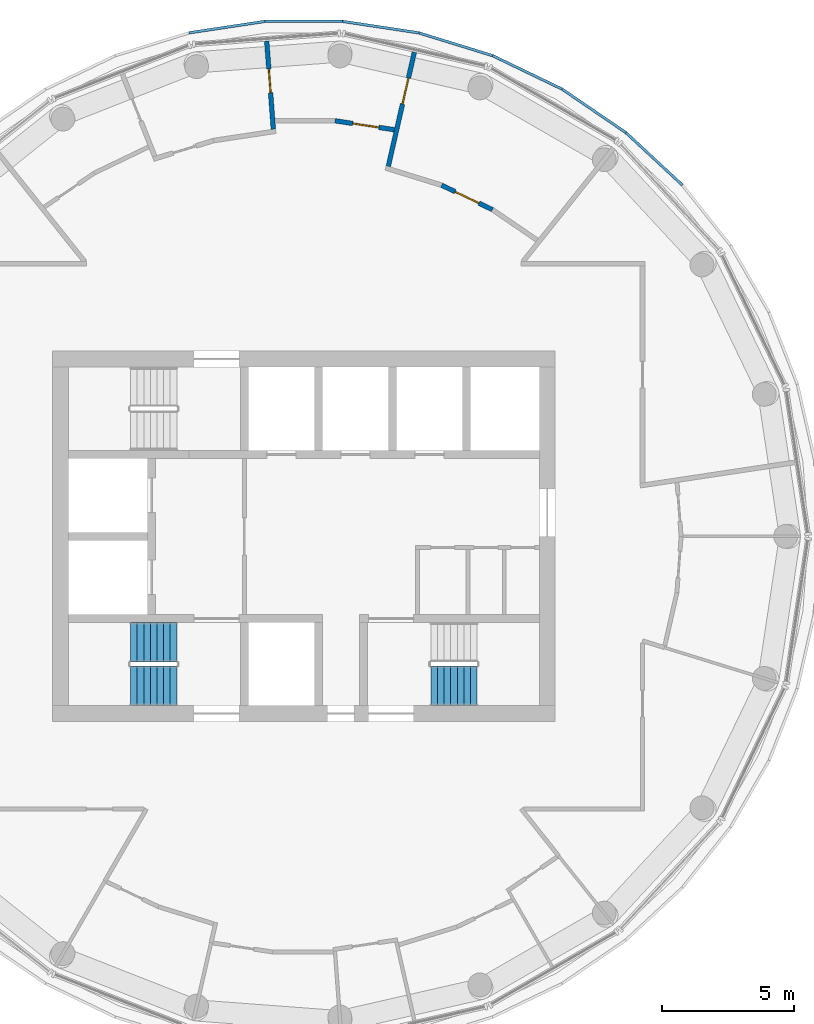
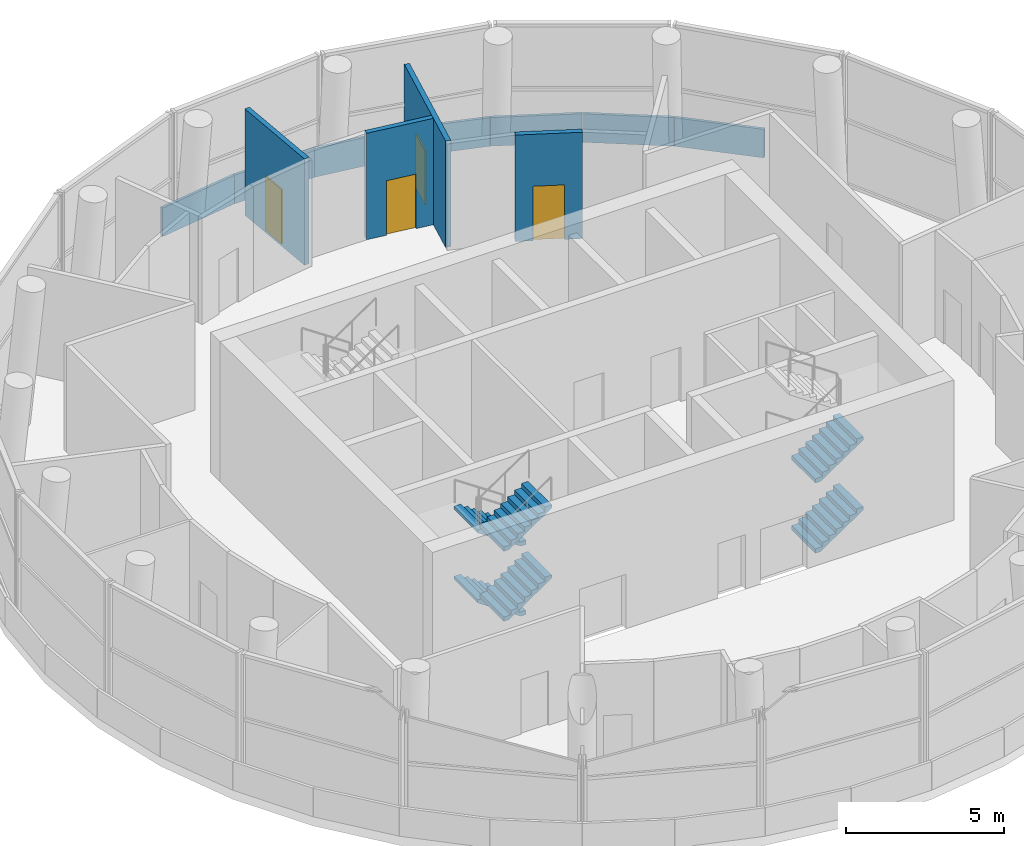
# One storey, part 7 of 10: 11 walls, 6 stair flights, 4 doors, 4 openings, 2 elements without a shape of their own.
"""IFC4 building model written with IfcOpenShell, lengths in metres."""

from ifc_helpers import new_model, si_unit, direction, frame, frame_2d, origin, place, context, subcontext, project, spatial, polyline, rectangle, outline, extrude, material, layer, layer_set, type_object, element, fill, aggregate, save


model = new_model("IFC4")

# Units and contexts
model_context = context("Model", 3, precision=1e-05, world=origin(), true_north=direction((0.0, 1.0)))
body_context = subcontext(model_context, "Body", "Model", "MODEL_VIEW")
ifc_project = project(units=[si_unit("LENGTHUNIT", "METRE"), si_unit("AREAUNIT", "SQUARE_METRE"), si_unit("VOLUMEUNIT", "CUBIC_METRE"), si_unit("PLANEANGLEUNIT", "RADIAN"), si_unit("MASSUNIT", "GRAM", prefix="KILO")], contexts=[model_context])

# Site, building, storey
site_placement = place(None, origin())
site = spatial("IfcSite", under=ifc_project, at=site_placement, CompositionType="ELEMENT")
building_placement = place(site_placement, origin())
building = spatial("IfcBuilding", under=site, at=building_placement, Name="Tracery Tower", CompositionType="ELEMENT")
storey_placement = place(building_placement, frame((0.0, 0.0, 336.0)))
storey = spatial("IfcBuildingStorey", under=building, at=storey_placement, Name="L87", CompositionType="ELEMENT", Elevation=336.0)

# Wall, opening, door
ifc_material_1 = material(Name="Plasterboard on steel studs", Category="steel")
ifc_layer_1 = layer(ifc_material_1, 0.175048828125)
ifc_layer_set_1 = layer_set([ifc_layer_1], Name="Compartment partition 175")
wall_type_1 = type_object("IfcWallType", Name="Compartment partition 175", PredefinedType="PARTITIONING", material=ifc_layer_set_1)
wall_1_placement = place(storey_placement, frame((-1.1533203125, 15.38916015625, 0.0), z_axis=(0.0, 0.0, 1.0), x_axis=(-0.074722695746, 0.997204351545, 0.0)))
wall_1 = element("IfcWall", 1, at=wall_1_placement, inside=storey, type_object=wall_type_1, Name="Compartment partition 175", PredefinedType="PARTITIONING", context=body_context, shape_type="SweptSolid", body=[
    extrude(rectangle(XDim=3.339111328125, YDim=0.175048828125, at=frame_2d((1.66943359375, 0.0))), origin(), (0.0, 0.0, 1.0), 4.10009765625),
])
opening_1_placement = place(wall_1_placement, frame((1.37939453125, 0.0, 0.0)))
opening_1 = element("IfcOpeningElement", 2, at=opening_1_placement, cuts=wall_1, Name="Opening SB-L87-07", PredefinedType="OPENING", context=body_context, shape_type="SweptSolid", body=[
    extrude(rectangle(XDim=0.89990234375, YDim=2.10009765625, at=frame_2d((0.449951171875, 1.050048828125))), frame((0.0, 0.08740234375, 0.0), z_axis=(0.0, -1.0, 0.0), x_axis=(1.0, 0.0, 0.0)), (0.0, 0.0, 1.0), 0.175048828125),
])
ifc_material_2 = material(Name="Steel fire door", Category="steel")
door_type_1 = type_object("IfcDoorType", Name="Store door 900", OperationType="NOTDEFINED", PredefinedType="DOOR", material=ifc_material_2)
door_1_placement = place(opening_1_placement, origin())
door_1 = element("IfcDoor", 3, at=door_1_placement, inside=storey, type_object=door_type_1, Name="Store door 900", OperationType="SINGLE_SWING_RIGHT", OverallHeight=2.10009765625, OverallWidth=0.89990234375, PredefinedType="DOOR", context=body_context, shape_type="SweptSolid", body=[
    extrude(rectangle(XDim=0.89990234375, YDim=2.10009765625, at=frame_2d((0.449951171875, 1.050048828125))), frame((0.0, 0.02490234375, 0.0), z_axis=(0.0, -1.0, 0.0), x_axis=(1.0, 0.0, 0.0)), (0.0, 0.0, 1.0), 0.050048828125),
])
fill(opening_1, door_1)

wall_2_placement = place(storey_placement, frame((1.177001953125, 15.7080078125, 0.0), z_axis=(0.0, 0.0, 1.0), x_axis=(0.988826103177, -0.149073598188, 0.0)))
wall_2 = element("IfcWall", 4, at=wall_2_placement, inside=storey, type_object=wall_type_1, Name="Compartment partition 175", PredefinedType="PARTITIONING", context=body_context, shape_type="SweptSolid", body=[
    extrude(rectangle(XDim=2.263427734375, YDim=0.175048828125, at=frame_2d((1.1318359375, 0.0))), origin(), (0.0, 0.0, 1.0), 4.10009765625),
])
opening_2_placement = place(wall_2_placement, frame((0.677001953125, 0.0, 0.0)))
opening_2 = element("IfcOpeningElement", 5, at=opening_2_placement, cuts=wall_2, Name="Opening SB-L87-03", PredefinedType="OPENING", context=body_context, shape_type="SweptSolid", body=[
    extrude(rectangle(XDim=1.0, YDim=2.10009765625, at=frame_2d((0.5, 1.050048828125))), frame((0.0, 0.08740234375, 0.0), z_axis=(0.0, -1.0, 0.0), x_axis=(1.0, 0.0, 0.0)), (0.0, 0.0, 1.0), 0.175048828125),
])
ifc_material_3 = material(Name="Steel fire door", Category="steel")
door_type_2 = type_object("IfcDoorType", Name="Kitchen door 1000", OperationType="NOTDEFINED", PredefinedType="DOOR", material=ifc_material_3)
door_2_placement = place(opening_2_placement, origin())
door_2 = element("IfcDoor", 6, at=door_2_placement, inside=storey, type_object=door_type_2, Name="Kitchen door 1000", OperationType="SINGLE_SWING_RIGHT", OverallHeight=2.10009765625, OverallWidth=1.0, PredefinedType="DOOR", context=body_context, shape_type="SweptSolid", body=[
    extrude(rectangle(XDim=1.0, YDim=2.10009765625, at=frame_2d((0.5, 1.050048828125))), frame((0.0, 0.02490234375, 0.0), z_axis=(0.0, -1.0, 0.0), x_axis=(1.0, 0.0, 0.0)), (0.0, 0.0, 1.0), 0.050048828125),
])
fill(opening_2, door_2)

wall_3_placement = place(storey_placement, frame((4.177001953125, 18.30078125, 0.0), z_axis=(0.0, 0.0, 1.0), x_axis=(-0.222505703635, -0.974931388278, 0.0)))
wall_3 = element("IfcWall", 7, at=wall_3_placement, inside=storey, type_object=wall_type_1, Name="Compartment partition 175", PredefinedType="PARTITIONING", context=body_context, shape_type="SweptSolid", body=[
    extrude(rectangle(XDim=4.425048828125, YDim=0.175048828125, at=frame_2d((2.21240234375, 0.0))), origin(), (0.0, 0.0, 1.0), 4.10009765625),
])
opening_3_placement = place(wall_3_placement, frame((1.009765625, 0.0, 0.0)))
opening_3 = element("IfcOpeningElement", 8, at=opening_3_placement, cuts=wall_3, Name="Opening SB-L87-06", PredefinedType="OPENING", context=body_context, shape_type="SweptSolid", body=[
    extrude(rectangle(XDim=1.0, YDim=2.10009765625, at=frame_2d((0.5, 1.050048828125))), frame((0.0, 0.08740234375, 0.0), z_axis=(0.0, -1.0, 0.0), x_axis=(1.0, 0.0, 0.0)), (0.0, 0.0, 1.0), 0.175048828125),
])
door_3_placement = place(opening_3_placement, origin())
door_3 = element("IfcDoor", 9, at=door_3_placement, inside=storey, type_object=door_type_2, Name="Kitchen door 1000", OperationType="SINGLE_SWING_LEFT", OverallHeight=2.10009765625, OverallWidth=1.0, PredefinedType="DOOR", context=body_context, shape_type="SweptSolid", body=[
    extrude(rectangle(XDim=1.0, YDim=2.10009765625, at=frame_2d((0.5, 1.050048828125))), frame((0.0, 0.02490234375, 0.0), z_axis=(0.0, -1.0, 0.0), x_axis=(1.0, 0.0, 0.0)), (0.0, 0.0, 1.0), 0.050048828125),
])
fill(opening_3, door_3)

wall_4_placement = place(storey_placement, frame((5.209228515625, 13.273193359375, 0.0), z_axis=(0.0, 0.0, 1.0), x_axis=(0.900950255423, -0.43392238621, 0.0)))
wall_4 = element("IfcWall", 10, at=wall_4_placement, inside=storey, type_object=wall_type_1, Name="Compartment partition 175", PredefinedType="PARTITIONING", context=body_context, shape_type="SweptSolid", body=[
    extrude(rectangle(XDim=2.13134765625, YDim=0.175048828125, at=frame_2d((1.065673828125, 0.0))), origin(), (0.0, 0.0, 1.0), 4.10009765625),
])
opening_4_placement = place(wall_4_placement, frame((0.565673828125, 0.0, 0.0)))
opening_4 = element("IfcOpeningElement", 11, at=opening_4_placement, cuts=wall_4, Name="Opening SB-L87-02", PredefinedType="OPENING", context=body_context, shape_type="SweptSolid", body=[
    extrude(rectangle(XDim=1.0, YDim=2.10009765625, at=frame_2d((0.5, 1.050048828125))), frame((0.0, 0.08740234375, 0.0), z_axis=(0.0, -1.0, 0.0), x_axis=(1.0, 0.0, 0.0)), (0.0, 0.0, 1.0), 0.175048828125),
])
door_4_placement = place(opening_4_placement, origin())
door_4 = element("IfcDoor", 12, at=door_4_placement, inside=storey, type_object=door_type_2, Name="Kitchen door 1000", OperationType="SINGLE_SWING_RIGHT", OverallHeight=2.10009765625, OverallWidth=1.0, PredefinedType="DOOR", context=body_context, shape_type="SweptSolid", body=[
    extrude(rectangle(XDim=1.0, YDim=2.10009765625, at=frame_2d((0.5, 1.050048828125))), frame((0.0, 0.02490234375, 0.0), z_axis=(0.0, -1.0, 0.0), x_axis=(1.0, 0.0, 0.0)), (0.0, 0.0, 1.0), 0.050048828125),
])
fill(opening_4, door_4)

# Walls
ifc_material_4 = material(Name="Tinted laminated glass", Category="glass")
ifc_layer_2 = layer(ifc_material_4, 0.10009765625)
ifc_layer_set_2 = layer_set([ifc_layer_2], Name="Crown ledge glass parapet 100")
wall_type_2 = type_object("IfcWallType", Name="Crown ledge glass parapet 100", PredefinedType="PARAPET", material=ifc_layer_set_2)
wall_5_placement = place(storey_placement, frame((14.30712890625, 13.281494140625, 0.0), z_axis=(0.0, 0.0, 1.0), x_axis=(-0.733014701813, 0.680212795327, 0.0)))
element("IfcWall", 13, at=wall_5_placement, inside=storey, type_object=wall_type_2, Name="Crown ledge glass parapet L87 6", PredefinedType="PARAPET", context=body_context, shape_type="SweptSolid", body=[
    extrude(rectangle(XDim=2.908203125, YDim=0.10009765625, at=frame_2d((1.4541015625, 0.0))), origin(), (0.0, 0.0, 1.0), 1.10009765625),
])
wall_6_placement = place(storey_placement, frame((12.16796875, 15.265625, 0.0), z_axis=(0.0, 0.0, 1.0), x_axis=(-0.826271739983, 0.56327170327, 0.0)))
element("IfcWall", 14, at=wall_6_placement, inside=storey, type_object=wall_type_2, Name="Crown ledge glass parapet L87 7", PredefinedType="PARAPET", context=body_context, shape_type="SweptSolid", body=[
    extrude(rectangle(XDim=2.908447265625, YDim=0.10009765625, at=frame_2d((1.4541015625, 0.0))), origin(), (0.0, 0.0, 1.0), 1.10009765625),
])
for number, where, z_axis, x_axis, name in (
    (15, (9.7568359375, 16.90869140625, 0.0), (0.0, 0.0, 1.0), (-0.900993162802, 0.433833286626, 0.0), "Crown ledge glass parapet L87 8"),
    (16, (7.127685546875, 18.174072265625, 0.0), (0.0, 0.0, 1.0), (-0.955577309812, 0.294740572323, 0.0), "Crown ledge glass parapet L87 9"),
    (17, (4.33935546875, 19.033203125, 0.0), (0.0, 0.0, 1.0), (-0.9888233843, 0.149091631761, 0.0), "Crown ledge glass parapet L87 10"),
    (18, (1.4541015625, 19.467529296875, 0.0), (0.0, 0.0, 1.0), (-1.0, 0.0, 0.0), "Crown ledge glass parapet L87 11"),
    (19, (-1.463623046875, 19.466796875, 0.0), (0.0, 0.0, 1.0), (-0.9888233843, -0.149091631761, 0.0), "Crown ledge glass parapet L87 12"),
):
    element("IfcWall", number, at=place(storey_placement, frame(where, z_axis=z_axis, x_axis=x_axis)), inside=storey, type_object=wall_type_2, Name=name, PredefinedType="PARAPET", context=body_context, shape_type="SweptSolid", body=[
        extrude(rectangle(XDim=2.908203125, YDim=0.10009765625, at=frame_2d((1.4541015625, 0.0))), origin(), (0.0, 0.0, 1.0), 1.10009765625),
    ])

# Stair, stair flights
ifc_material_5 = material(Name="Concrete C32/40", Category="concrete")
stair_type = type_object("IfcStairType", Name="Core stair 32 risers", PredefinedType="HALF_TURN_STAIR", material=ifc_material_5)
stair_1_placement = place(storey_placement, origin())
stair_1 = element("IfcStair", 20, at=stair_1_placement, inside=storey, type_object=stair_type, Name="L87 stair ST1", PredefinedType="HALF_TURN_STAIR")
ifc_material_6 = material(Name="Concrete C32/40", Category="concrete")
stair_flight_type = type_object("IfcStairFlightType", Name="Core stair flight 8 risers", PredefinedType="STRAIGHT", material=ifc_material_6)
stair_flight_1_placement = place(storey_placement, frame((-4.800048828125, -4.0, 0.0), z_axis=(0.0, 0.0, 1.0), x_axis=(-1.0, 0.0, 0.0)))
stair_flight_1 = element("IfcStairFlight", 21, at=stair_flight_1_placement, type_object=stair_flight_type, Name="ST1 flight 1", NumberOfRisers=8, NumberOfTreads=7, PredefinedType="STRAIGHT", RiserHeight=0.16875, TreadLength=0.25, context=body_context, shape_type="SweptSolid", body=[
    extrude(outline(polyline([(0.0, 0.0), (0.0, 0.002685546875), (0.0, 0.005615234375), (0.0, 0.00830078125), (0.0, 0.010986328125), (0.0, 0.013916015625), (0.0, 0.0166015625), (0.0, 0.019287109375), (0.0, 0.022216796875), (0.0, 0.02490234375), (0.0, 0.027587890625), (0.0, 0.030517578125), (0.0, 0.033203125), (0.0, 0.035888671875), (0.0, 0.038818359375), (0.0, 0.04150390625), (0.0, 0.044189453125), (0.0, 0.047119140625), (0.0, 0.0498046875), (0.0, 0.052490234375), (0.0, 0.055419921875), (0.0, 0.05810546875), (0.0, 0.060791015625), (0.0, 0.063720703125), (0.0, 0.06640625), (0.0, 0.069091796875), (0.0, 0.072021484375), (0.0, 0.07470703125), (0.0, 0.077392578125), (0.0, 0.080322265625), (0.0, 0.0830078125), (0.0, 0.085693359375), (0.0, 0.088623046875), (0.0, 0.09130859375), (0.0, 0.093994140625), (0.0, 0.096923828125), (0.0, 0.099609375), (0.0, 0.102294921875), (0.0, 0.105224609375), (0.0, 0.10791015625), (0.0, 0.110595703125), (0.0, 0.113525390625), (0.0, 0.1162109375), (0.0, 0.118896484375), (0.0, 0.121826171875), (0.0, 0.12451171875), (0.0, 0.127197265625), (0.0, 0.130126953125), (0.0, 0.1328125), (0.0, 0.135498046875), (0.0, 0.138427734375), (0.0, 0.14111328125), (0.0, 0.143798828125), (0.0, 0.146728515625), (0.0, 0.1494140625), (0.0, 0.152099609375), (0.0, 0.155029296875), (0.0, 0.15771484375), (0.0, 0.160400390625), (0.0, 0.163330078125), (0.0, 0.166015625), (0.0, 0.168701171875), (0.25, 0.168701171875), (0.25, 0.33740234375), (0.5, 0.33740234375), (0.5, 0.50634765625), (0.75, 0.50634765625), (0.75, 0.675048828125), (1.0, 0.675048828125), (1.0, 0.84375), (1.25, 0.84375), (1.25, 1.012451171875), (1.5, 1.012451171875), (1.5, 1.18115234375), (1.75, 1.18115234375), (1.75, 1.17919921875), (1.75, 1.17724609375), (1.75, 1.17529296875), (1.75, 1.17333984375), (1.75, 1.17138671875), (1.75, 1.16943359375), (1.75, 1.16748046875), (1.75, 1.16552734375), (1.75, 1.163330078125), (1.75, 1.161376953125), (1.75, 1.159423828125), (1.75, 1.157470703125), (1.75, 1.155517578125), (1.75, 1.153564453125), (1.75, 1.151611328125), (1.75, 1.149658203125), (1.75, 1.147705078125), (1.75, 1.1455078125), (1.75, 1.1435546875), (1.75, 1.1416015625), (1.75, 1.1396484375), (1.75, 1.1376953125), (1.75, 1.1357421875), (1.75, 1.1337890625), (1.75, 1.1318359375), (1.75, 1.1298828125), (1.75, 1.127685546875), (1.75, 1.125732421875), (1.75, 1.123779296875), (1.75, 1.121826171875), (1.75, 1.119873046875), (1.75, 1.117919921875), (1.75, 1.115966796875), (1.75, 1.114013671875), (1.75, 1.112060546875), (1.75, 1.10986328125), (1.75, 1.10791015625), (1.75, 1.10595703125), (1.75, 1.10400390625), (1.75, 1.10205078125), (1.75, 1.10009765625), (1.75, 1.09814453125), (1.75, 1.09619140625), (1.75, 1.09423828125), (1.75, 1.092041015625), (1.75, 1.090087890625), (1.75, 1.088134765625), (1.75, 1.086181640625), (1.75, 1.084228515625), (1.75, 1.082275390625), (1.75, 1.080322265625), (1.75, 1.078369140625), (1.75, 1.076416015625), (1.75, 1.074462890625), (1.75, 1.072265625), (1.75, 1.0703125), (1.75, 1.068359375), (1.75, 1.06640625), (1.75, 1.064453125), (1.75, 1.0625), (1.75, 1.060546875), (0.178955078125, 0.0), (0.0, 0.0)])), frame((0.0, 0.75, 0.0), z_axis=(0.0, -1.0, 0.0), x_axis=(1.0, 0.0, 0.0)), (0.0, 0.0, 1.0), 1.5),
])
stair_flight_2_placement = place(storey_placement, frame((-6.550048828125, -5.64990234375, 1.35009765625), z_axis=(0.0, 0.0, 1.0), x_axis=(1.0, 0.0, 0.0)))
stair_flight_2 = element("IfcStairFlight", 22, at=stair_flight_2_placement, type_object=stair_flight_type, Name="ST1 flight 2", NumberOfRisers=8, NumberOfTreads=7, PredefinedType="STRAIGHT", RiserHeight=0.16875, TreadLength=0.25, context=body_context, shape_type="SweptSolid", body=[
    extrude(outline(polyline([(0.0, 0.0), (0.0, 0.002685546875), (0.0, 0.005615234375), (0.0, 0.00830078125), (0.0, 0.010986328125), (0.0, 0.013916015625), (0.0, 0.0166015625), (0.0, 0.019287109375), (0.0, 0.022216796875), (0.0, 0.02490234375), (0.0, 0.027587890625), (0.0, 0.030517578125), (0.0, 0.033203125), (0.0, 0.035888671875), (0.0, 0.038818359375), (0.0, 0.04150390625), (0.0, 0.044189453125), (0.0, 0.047119140625), (0.0, 0.0498046875), (0.0, 0.052490234375), (0.0, 0.055419921875), (0.0, 0.05810546875), (0.0, 0.060791015625), (0.0, 0.063720703125), (0.0, 0.06640625), (0.0, 0.069091796875), (0.0, 0.072021484375), (0.0, 0.07470703125), (0.0, 0.077392578125), (0.0, 0.080322265625), (0.0, 0.0830078125), (0.0, 0.085693359375), (0.0, 0.088623046875), (0.0, 0.09130859375), (0.0, 0.093994140625), (0.0, 0.096923828125), (0.0, 0.099609375), (0.0, 0.102294921875), (0.0, 0.105224609375), (0.0, 0.10791015625), (0.0, 0.110595703125), (0.0, 0.113525390625), (0.0, 0.1162109375), (0.0, 0.118896484375), (0.0, 0.121826171875), (0.0, 0.12451171875), (0.0, 0.127197265625), (0.0, 0.130126953125), (0.0, 0.1328125), (0.0, 0.135498046875), (0.0, 0.138427734375), (0.0, 0.14111328125), (0.0, 0.143798828125), (0.0, 0.146728515625), (0.0, 0.1494140625), (0.0, 0.152099609375), (0.0, 0.155029296875), (0.0, 0.15771484375), (0.0, 0.160400390625), (0.0, 0.163330078125), (0.0, 0.166015625), (0.0, 0.168701171875), (0.25, 0.168701171875), (0.25, 0.33740234375), (0.5, 0.33740234375), (0.5, 0.50634765625), (0.75, 0.50634765625), (0.75, 0.675048828125), (1.0, 0.675048828125), (1.0, 0.84375), (1.25, 0.84375), (1.25, 1.012451171875), (1.5, 1.012451171875), (1.5, 1.18115234375), (1.75, 1.18115234375), (1.75, 1.17919921875), (1.75, 1.17724609375), (1.75, 1.17529296875), (1.75, 1.17333984375), (1.75, 1.17138671875), (1.75, 1.16943359375), (1.75, 1.16748046875), (1.75, 1.16552734375), (1.75, 1.163330078125), (1.75, 1.161376953125), (1.75, 1.159423828125), (1.75, 1.157470703125), (1.75, 1.155517578125), (1.75, 1.153564453125), (1.75, 1.151611328125), (1.75, 1.149658203125), (1.75, 1.147705078125), (1.75, 1.1455078125), (1.75, 1.1435546875), (1.75, 1.1416015625), (1.75, 1.1396484375), (1.75, 1.1376953125), (1.75, 1.1357421875), (1.75, 1.1337890625), (1.75, 1.1318359375), (1.75, 1.1298828125), (1.75, 1.127685546875), (1.75, 1.125732421875), (1.75, 1.123779296875), (1.75, 1.121826171875), (1.75, 1.119873046875), (1.75, 1.117919921875), (1.75, 1.115966796875), (1.75, 1.114013671875), (1.75, 1.112060546875), (1.75, 1.10986328125), (1.75, 1.10791015625), (1.75, 1.10595703125), (1.75, 1.10400390625), (1.75, 1.10205078125), (1.75, 1.10009765625), (1.75, 1.09814453125), (1.75, 1.09619140625), (1.75, 1.09423828125), (1.75, 1.092041015625), (1.75, 1.090087890625), (1.75, 1.088134765625), (1.75, 1.086181640625), (1.75, 1.084228515625), (1.75, 1.082275390625), (1.75, 1.080322265625), (1.75, 1.078369140625), (1.75, 1.076416015625), (1.75, 1.074462890625), (1.75, 1.072265625), (1.75, 1.0703125), (1.75, 1.068359375), (1.75, 1.06640625), (1.75, 1.064453125), (1.75, 1.0625), (1.75, 1.060546875), (0.178955078125, 0.0), (0.0, 0.0)])), frame((0.0, 0.75, 0.0), z_axis=(0.0, -1.0, 0.0), x_axis=(1.0, 0.0, 0.0)), (0.0, 0.0, 1.0), 1.5),
])
stair_flight_3_placement = place(storey_placement, frame((-4.800048828125, -4.0, 2.699951171875), z_axis=(0.0, 0.0, 1.0), x_axis=(-1.0, 0.0, 0.0)))
stair_flight_3 = element("IfcStairFlight", 23, at=stair_flight_3_placement, type_object=stair_flight_type, Name="ST1 flight 3", NumberOfRisers=8, NumberOfTreads=7, PredefinedType="STRAIGHT", RiserHeight=0.16875, TreadLength=0.25, context=body_context, shape_type="SweptSolid", body=[
    extrude(outline(polyline([(0.0, 0.0), (0.0, 0.002685546875), (0.0, 0.005615234375), (0.0, 0.00830078125), (0.0, 0.010986328125), (0.0, 0.013916015625), (0.0, 0.0166015625), (0.0, 0.019287109375), (0.0, 0.022216796875), (0.0, 0.02490234375), (0.0, 0.027587890625), (0.0, 0.030517578125), (0.0, 0.033203125), (0.0, 0.035888671875), (0.0, 0.038818359375), (0.0, 0.04150390625), (0.0, 0.044189453125), (0.0, 0.047119140625), (0.0, 0.0498046875), (0.0, 0.052490234375), (0.0, 0.055419921875), (0.0, 0.05810546875), (0.0, 0.060791015625), (0.0, 0.063720703125), (0.0, 0.06640625), (0.0, 0.069091796875), (0.0, 0.072021484375), (0.0, 0.07470703125), (0.0, 0.077392578125), (0.0, 0.080322265625), (0.0, 0.0830078125), (0.0, 0.085693359375), (0.0, 0.088623046875), (0.0, 0.09130859375), (0.0, 0.093994140625), (0.0, 0.096923828125), (0.0, 0.099609375), (0.0, 0.102294921875), (0.0, 0.105224609375), (0.0, 0.10791015625), (0.0, 0.110595703125), (0.0, 0.113525390625), (0.0, 0.1162109375), (0.0, 0.118896484375), (0.0, 0.121826171875), (0.0, 0.12451171875), (0.0, 0.127197265625), (0.0, 0.130126953125), (0.0, 0.1328125), (0.0, 0.135498046875), (0.0, 0.138427734375), (0.0, 0.14111328125), (0.0, 0.143798828125), (0.0, 0.146728515625), (0.0, 0.1494140625), (0.0, 0.152099609375), (0.0, 0.155029296875), (0.0, 0.15771484375), (0.0, 0.160400390625), (0.0, 0.163330078125), (0.0, 0.166015625), (0.0, 0.168701171875), (0.25, 0.168701171875), (0.25, 0.33740234375), (0.5, 0.33740234375), (0.5, 0.50634765625), (0.75, 0.50634765625), (0.75, 0.675048828125), (1.0, 0.675048828125), (1.0, 0.84375), (1.25, 0.84375), (1.25, 1.012451171875), (1.5, 1.012451171875), (1.5, 1.18115234375), (1.75, 1.18115234375), (1.75, 1.17919921875), (1.75, 1.17724609375), (1.75, 1.17529296875), (1.75, 1.17333984375), (1.75, 1.17138671875), (1.75, 1.16943359375), (1.75, 1.16748046875), (1.75, 1.16552734375), (1.75, 1.163330078125), (1.75, 1.161376953125), (1.75, 1.159423828125), (1.75, 1.157470703125), (1.75, 1.155517578125), (1.75, 1.153564453125), (1.75, 1.151611328125), (1.75, 1.149658203125), (1.75, 1.147705078125), (1.75, 1.1455078125), (1.75, 1.1435546875), (1.75, 1.1416015625), (1.75, 1.1396484375), (1.75, 1.1376953125), (1.75, 1.1357421875), (1.75, 1.1337890625), (1.75, 1.1318359375), (1.75, 1.1298828125), (1.75, 1.127685546875), (1.75, 1.125732421875), (1.75, 1.123779296875), (1.75, 1.121826171875), (1.75, 1.119873046875), (1.75, 1.117919921875), (1.75, 1.115966796875), (1.75, 1.114013671875), (1.75, 1.112060546875), (1.75, 1.10986328125), (1.75, 1.10791015625), (1.75, 1.10595703125), (1.75, 1.10400390625), (1.75, 1.10205078125), (1.75, 1.10009765625), (1.75, 1.09814453125), (1.75, 1.09619140625), (1.75, 1.09423828125), (1.75, 1.092041015625), (1.75, 1.090087890625), (1.75, 1.088134765625), (1.75, 1.086181640625), (1.75, 1.084228515625), (1.75, 1.082275390625), (1.75, 1.080322265625), (1.75, 1.078369140625), (1.75, 1.076416015625), (1.75, 1.074462890625), (1.75, 1.072265625), (1.75, 1.0703125), (1.75, 1.068359375), (1.75, 1.06640625), (1.75, 1.064453125), (1.75, 1.0625), (1.75, 1.060546875), (0.178955078125, 0.0), (0.0, 0.0)])), frame((0.0, 0.75, 0.0), z_axis=(0.0, -1.0, 0.0), x_axis=(1.0, 0.0, 0.0)), (0.0, 0.0, 1.0), 1.5),
])
stair_flight_4_placement = place(storey_placement, frame((-6.550048828125, -5.64990234375, 4.050048828125), z_axis=(0.0, 0.0, 1.0), x_axis=(1.0, 0.0, 0.0)))
stair_flight_4 = element("IfcStairFlight", 24, at=stair_flight_4_placement, type_object=stair_flight_type, Name="ST1 flight 4", NumberOfRisers=8, NumberOfTreads=7, PredefinedType="STRAIGHT", RiserHeight=0.16875, TreadLength=0.25, context=body_context, shape_type="SweptSolid", body=[
    extrude(outline(polyline([(0.0, 0.0), (0.0, 0.002685546875), (0.0, 0.005615234375), (0.0, 0.00830078125), (0.0, 0.010986328125), (0.0, 0.013916015625), (0.0, 0.0166015625), (0.0, 0.019287109375), (0.0, 0.022216796875), (0.0, 0.02490234375), (0.0, 0.027587890625), (0.0, 0.030517578125), (0.0, 0.033203125), (0.0, 0.035888671875), (0.0, 0.038818359375), (0.0, 0.04150390625), (0.0, 0.044189453125), (0.0, 0.047119140625), (0.0, 0.0498046875), (0.0, 0.052490234375), (0.0, 0.055419921875), (0.0, 0.05810546875), (0.0, 0.060791015625), (0.0, 0.063720703125), (0.0, 0.06640625), (0.0, 0.069091796875), (0.0, 0.072021484375), (0.0, 0.07470703125), (0.0, 0.077392578125), (0.0, 0.080322265625), (0.0, 0.0830078125), (0.0, 0.085693359375), (0.0, 0.088623046875), (0.0, 0.09130859375), (0.0, 0.093994140625), (0.0, 0.096923828125), (0.0, 0.099609375), (0.0, 0.102294921875), (0.0, 0.105224609375), (0.0, 0.10791015625), (0.0, 0.110595703125), (0.0, 0.113525390625), (0.0, 0.1162109375), (0.0, 0.118896484375), (0.0, 0.121826171875), (0.0, 0.12451171875), (0.0, 0.127197265625), (0.0, 0.130126953125), (0.0, 0.1328125), (0.0, 0.135498046875), (0.0, 0.138427734375), (0.0, 0.14111328125), (0.0, 0.143798828125), (0.0, 0.146728515625), (0.0, 0.1494140625), (0.0, 0.152099609375), (0.0, 0.155029296875), (0.0, 0.15771484375), (0.0, 0.160400390625), (0.0, 0.163330078125), (0.0, 0.166015625), (0.0, 0.168701171875), (0.25, 0.168701171875), (0.25, 0.33740234375), (0.5, 0.33740234375), (0.5, 0.50634765625), (0.75, 0.50634765625), (0.75, 0.675048828125), (1.0, 0.675048828125), (1.0, 0.84375), (1.25, 0.84375), (1.25, 1.012451171875), (1.5, 1.012451171875), (1.5, 1.18115234375), (1.75, 1.18115234375), (1.75, 1.17919921875), (1.75, 1.17724609375), (1.75, 1.17529296875), (1.75, 1.17333984375), (1.75, 1.17138671875), (1.75, 1.16943359375), (1.75, 1.16748046875), (1.75, 1.16552734375), (1.75, 1.163330078125), (1.75, 1.161376953125), (1.75, 1.159423828125), (1.75, 1.157470703125), (1.75, 1.155517578125), (1.75, 1.153564453125), (1.75, 1.151611328125), (1.75, 1.149658203125), (1.75, 1.147705078125), (1.75, 1.1455078125), (1.75, 1.1435546875), (1.75, 1.1416015625), (1.75, 1.1396484375), (1.75, 1.1376953125), (1.75, 1.1357421875), (1.75, 1.1337890625), (1.75, 1.1318359375), (1.75, 1.1298828125), (1.75, 1.127685546875), (1.75, 1.125732421875), (1.75, 1.123779296875), (1.75, 1.121826171875), (1.75, 1.119873046875), (1.75, 1.117919921875), (1.75, 1.115966796875), (1.75, 1.114013671875), (1.75, 1.112060546875), (1.75, 1.10986328125), (1.75, 1.10791015625), (1.75, 1.10595703125), (1.75, 1.10400390625), (1.75, 1.10205078125), (1.75, 1.10009765625), (1.75, 1.09814453125), (1.75, 1.09619140625), (1.75, 1.09423828125), (1.75, 1.092041015625), (1.75, 1.090087890625), (1.75, 1.088134765625), (1.75, 1.086181640625), (1.75, 1.084228515625), (1.75, 1.082275390625), (1.75, 1.080322265625), (1.75, 1.078369140625), (1.75, 1.076416015625), (1.75, 1.074462890625), (1.75, 1.072265625), (1.75, 1.0703125), (1.75, 1.068359375), (1.75, 1.06640625), (1.75, 1.064453125), (1.75, 1.0625), (1.75, 1.060546875), (0.178955078125, 0.0), (0.0, 0.0)])), frame((0.0, 0.75, 0.0), z_axis=(0.0, -1.0, 0.0), x_axis=(1.0, 0.0, 0.0)), (0.0, 0.0, 1.0), 1.5),
])
aggregate(stair_1, [stair_flight_1, stair_flight_2, stair_flight_3, stair_flight_4])

stair_2_placement = place(storey_placement, origin())
stair_2 = element("IfcStair", 25, at=stair_2_placement, inside=storey, type_object=stair_type, Name="L87 stair ST2", PredefinedType="HALF_TURN_STAIR")
stair_flight_5_placement = place(storey_placement, frame((4.800048828125, -5.64990234375, 0.0), z_axis=(0.0, 0.0, 1.0), x_axis=(1.0, 0.0, 0.0)))
stair_flight_5 = element("IfcStairFlight", 26, at=stair_flight_5_placement, type_object=stair_flight_type, Name="ST2 flight 1", NumberOfRisers=8, NumberOfTreads=7, PredefinedType="STRAIGHT", RiserHeight=0.16875, TreadLength=0.25, context=body_context, shape_type="SweptSolid", body=[
    extrude(outline(polyline([(0.0, 0.0), (0.0, 0.002685546875), (0.0, 0.005615234375), (0.0, 0.00830078125), (0.0, 0.010986328125), (0.0, 0.013916015625), (0.0, 0.0166015625), (0.0, 0.019287109375), (0.0, 0.022216796875), (0.0, 0.02490234375), (0.0, 0.027587890625), (0.0, 0.030517578125), (0.0, 0.033203125), (0.0, 0.035888671875), (0.0, 0.038818359375), (0.0, 0.04150390625), (0.0, 0.044189453125), (0.0, 0.047119140625), (0.0, 0.0498046875), (0.0, 0.052490234375), (0.0, 0.055419921875), (0.0, 0.05810546875), (0.0, 0.060791015625), (0.0, 0.063720703125), (0.0, 0.06640625), (0.0, 0.069091796875), (0.0, 0.072021484375), (0.0, 0.07470703125), (0.0, 0.077392578125), (0.0, 0.080322265625), (0.0, 0.0830078125), (0.0, 0.085693359375), (0.0, 0.088623046875), (0.0, 0.09130859375), (0.0, 0.093994140625), (0.0, 0.096923828125), (0.0, 0.099609375), (0.0, 0.102294921875), (0.0, 0.105224609375), (0.0, 0.10791015625), (0.0, 0.110595703125), (0.0, 0.113525390625), (0.0, 0.1162109375), (0.0, 0.118896484375), (0.0, 0.121826171875), (0.0, 0.12451171875), (0.0, 0.127197265625), (0.0, 0.130126953125), (0.0, 0.1328125), (0.0, 0.135498046875), (0.0, 0.138427734375), (0.0, 0.14111328125), (0.0, 0.143798828125), (0.0, 0.146728515625), (0.0, 0.1494140625), (0.0, 0.152099609375), (0.0, 0.155029296875), (0.0, 0.15771484375), (0.0, 0.160400390625), (0.0, 0.163330078125), (0.0, 0.166015625), (0.0, 0.168701171875), (0.25, 0.168701171875), (0.25, 0.33740234375), (0.5, 0.33740234375), (0.5, 0.50634765625), (0.75, 0.50634765625), (0.75, 0.675048828125), (1.0, 0.675048828125), (1.0, 0.84375), (1.25, 0.84375), (1.25, 1.012451171875), (1.5, 1.012451171875), (1.5, 1.18115234375), (1.75, 1.18115234375), (1.75, 1.17919921875), (1.75, 1.17724609375), (1.75, 1.17529296875), (1.75, 1.17333984375), (1.75, 1.17138671875), (1.75, 1.16943359375), (1.75, 1.16748046875), (1.75, 1.16552734375), (1.75, 1.163330078125), (1.75, 1.161376953125), (1.75, 1.159423828125), (1.75, 1.157470703125), (1.75, 1.155517578125), (1.75, 1.153564453125), (1.75, 1.151611328125), (1.75, 1.149658203125), (1.75, 1.147705078125), (1.75, 1.1455078125), (1.75, 1.1435546875), (1.75, 1.1416015625), (1.75, 1.1396484375), (1.75, 1.1376953125), (1.75, 1.1357421875), (1.75, 1.1337890625), (1.75, 1.1318359375), (1.75, 1.1298828125), (1.75, 1.127685546875), (1.75, 1.125732421875), (1.75, 1.123779296875), (1.75, 1.121826171875), (1.75, 1.119873046875), (1.75, 1.117919921875), (1.75, 1.115966796875), (1.75, 1.114013671875), (1.75, 1.112060546875), (1.75, 1.10986328125), (1.75, 1.10791015625), (1.75, 1.10595703125), (1.75, 1.10400390625), (1.75, 1.10205078125), (1.75, 1.10009765625), (1.75, 1.09814453125), (1.75, 1.09619140625), (1.75, 1.09423828125), (1.75, 1.092041015625), (1.75, 1.090087890625), (1.75, 1.088134765625), (1.75, 1.086181640625), (1.75, 1.084228515625), (1.75, 1.082275390625), (1.75, 1.080322265625), (1.75, 1.078369140625), (1.75, 1.076416015625), (1.75, 1.074462890625), (1.75, 1.072265625), (1.75, 1.0703125), (1.75, 1.068359375), (1.75, 1.06640625), (1.75, 1.064453125), (1.75, 1.0625), (1.75, 1.060546875), (0.178955078125, 0.0), (0.0, 0.0)])), frame((0.0, 0.75, 0.0), z_axis=(0.0, -1.0, 0.0), x_axis=(1.0, 0.0, 0.0)), (0.0, 0.0, 1.0), 1.5),
])
stair_flight_6_placement = place(storey_placement, frame((4.800048828125, -5.64990234375, 2.699951171875), z_axis=(0.0, 0.0, 1.0), x_axis=(1.0, 0.0, 0.0)))
stair_flight_6 = element("IfcStairFlight", 27, at=stair_flight_6_placement, type_object=stair_flight_type, Name="ST2 flight 3", NumberOfRisers=8, NumberOfTreads=7, PredefinedType="STRAIGHT", RiserHeight=0.16875, TreadLength=0.25, context=body_context, shape_type="SweptSolid", body=[
    extrude(outline(polyline([(0.0, 0.0), (0.0, 0.002685546875), (0.0, 0.005615234375), (0.0, 0.00830078125), (0.0, 0.010986328125), (0.0, 0.013916015625), (0.0, 0.0166015625), (0.0, 0.019287109375), (0.0, 0.022216796875), (0.0, 0.02490234375), (0.0, 0.027587890625), (0.0, 0.030517578125), (0.0, 0.033203125), (0.0, 0.035888671875), (0.0, 0.038818359375), (0.0, 0.04150390625), (0.0, 0.044189453125), (0.0, 0.047119140625), (0.0, 0.0498046875), (0.0, 0.052490234375), (0.0, 0.055419921875), (0.0, 0.05810546875), (0.0, 0.060791015625), (0.0, 0.063720703125), (0.0, 0.06640625), (0.0, 0.069091796875), (0.0, 0.072021484375), (0.0, 0.07470703125), (0.0, 0.077392578125), (0.0, 0.080322265625), (0.0, 0.0830078125), (0.0, 0.085693359375), (0.0, 0.088623046875), (0.0, 0.09130859375), (0.0, 0.093994140625), (0.0, 0.096923828125), (0.0, 0.099609375), (0.0, 0.102294921875), (0.0, 0.105224609375), (0.0, 0.10791015625), (0.0, 0.110595703125), (0.0, 0.113525390625), (0.0, 0.1162109375), (0.0, 0.118896484375), (0.0, 0.121826171875), (0.0, 0.12451171875), (0.0, 0.127197265625), (0.0, 0.130126953125), (0.0, 0.1328125), (0.0, 0.135498046875), (0.0, 0.138427734375), (0.0, 0.14111328125), (0.0, 0.143798828125), (0.0, 0.146728515625), (0.0, 0.1494140625), (0.0, 0.152099609375), (0.0, 0.155029296875), (0.0, 0.15771484375), (0.0, 0.160400390625), (0.0, 0.163330078125), (0.0, 0.166015625), (0.0, 0.168701171875), (0.25, 0.168701171875), (0.25, 0.33740234375), (0.5, 0.33740234375), (0.5, 0.50634765625), (0.75, 0.50634765625), (0.75, 0.675048828125), (1.0, 0.675048828125), (1.0, 0.84375), (1.25, 0.84375), (1.25, 1.012451171875), (1.5, 1.012451171875), (1.5, 1.18115234375), (1.75, 1.18115234375), (1.75, 1.17919921875), (1.75, 1.17724609375), (1.75, 1.17529296875), (1.75, 1.17333984375), (1.75, 1.17138671875), (1.75, 1.16943359375), (1.75, 1.16748046875), (1.75, 1.16552734375), (1.75, 1.163330078125), (1.75, 1.161376953125), (1.75, 1.159423828125), (1.75, 1.157470703125), (1.75, 1.155517578125), (1.75, 1.153564453125), (1.75, 1.151611328125), (1.75, 1.149658203125), (1.75, 1.147705078125), (1.75, 1.1455078125), (1.75, 1.1435546875), (1.75, 1.1416015625), (1.75, 1.1396484375), (1.75, 1.1376953125), (1.75, 1.1357421875), (1.75, 1.1337890625), (1.75, 1.1318359375), (1.75, 1.1298828125), (1.75, 1.127685546875), (1.75, 1.125732421875), (1.75, 1.123779296875), (1.75, 1.121826171875), (1.75, 1.119873046875), (1.75, 1.117919921875), (1.75, 1.115966796875), (1.75, 1.114013671875), (1.75, 1.112060546875), (1.75, 1.10986328125), (1.75, 1.10791015625), (1.75, 1.10595703125), (1.75, 1.10400390625), (1.75, 1.10205078125), (1.75, 1.10009765625), (1.75, 1.09814453125), (1.75, 1.09619140625), (1.75, 1.09423828125), (1.75, 1.092041015625), (1.75, 1.090087890625), (1.75, 1.088134765625), (1.75, 1.086181640625), (1.75, 1.084228515625), (1.75, 1.082275390625), (1.75, 1.080322265625), (1.75, 1.078369140625), (1.75, 1.076416015625), (1.75, 1.074462890625), (1.75, 1.072265625), (1.75, 1.0703125), (1.75, 1.068359375), (1.75, 1.06640625), (1.75, 1.064453125), (1.75, 1.0625), (1.75, 1.060546875), (0.178955078125, 0.0), (0.0, 0.0)])), frame((0.0, 0.75, 0.0), z_axis=(0.0, -1.0, 0.0), x_axis=(1.0, 0.0, 0.0)), (0.0, 0.0, 1.0), 1.5),
])
aggregate(stair_2, [stair_flight_5, stair_flight_6])

save(model, "model.ifc")
